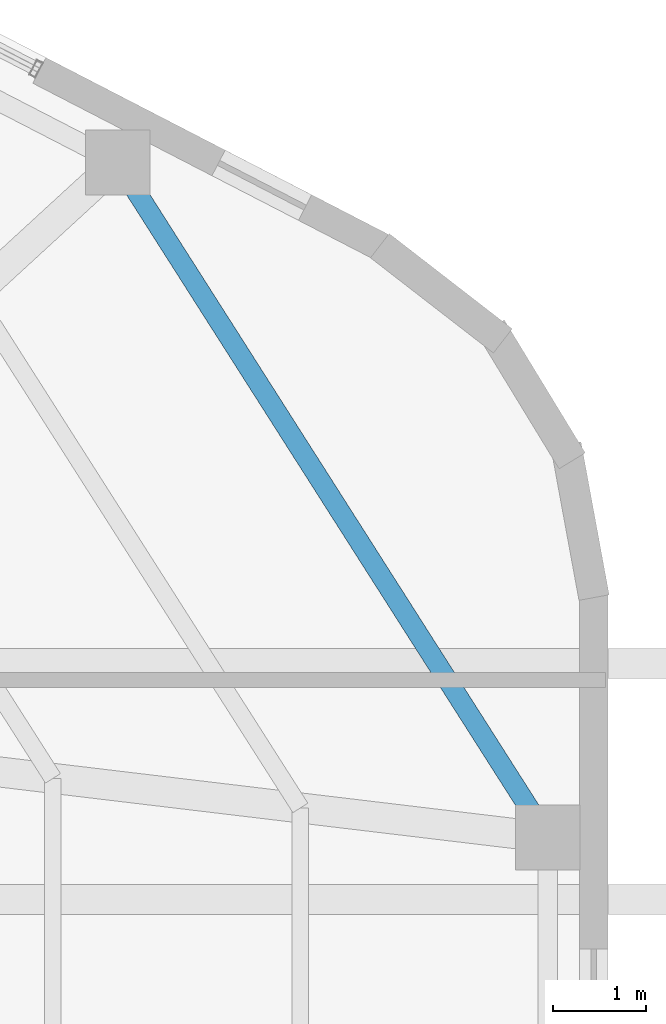
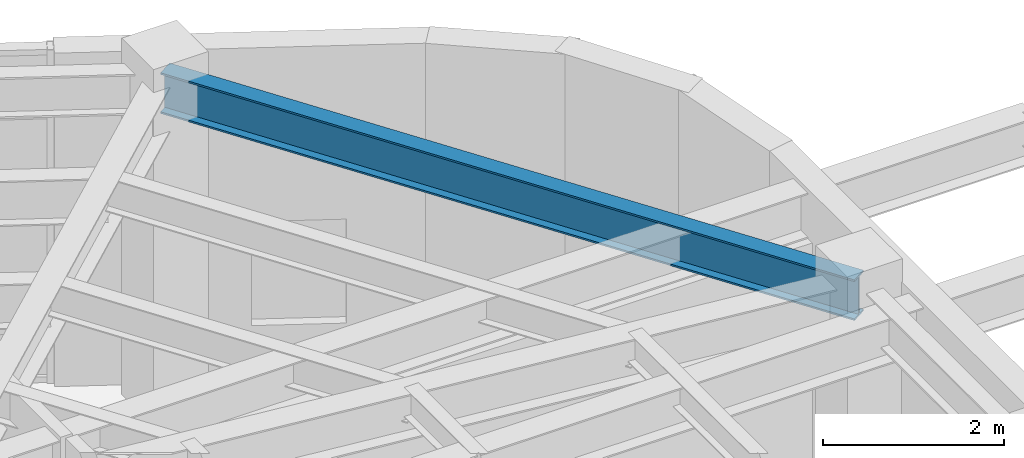
# One storey, part 11 of 18: 1 beam.
"""IFC4 building model written with IfcOpenShell, lengths in metres."""

from ifc_helpers import new_model, si_unit, direction, frame, origin, origin_2d, place, context, subcontext, project, spatial, i_section, extrude, material, material_profile, profile_set, type_object, element, save


model = new_model("IFC4")

# Units and contexts
model_context = context("Model", 3, precision=1e-05, world=origin(), true_north=direction((0.0, 1.0)))
body_context = subcontext(model_context, "Body", "Model", "MODEL_VIEW")
ifc_project = project(units=[si_unit("LENGTHUNIT", "METRE"), si_unit("AREAUNIT", "SQUARE_METRE"), si_unit("VOLUMEUNIT", "CUBIC_METRE"), si_unit("PLANEANGLEUNIT", "RADIAN"), si_unit("MASSUNIT", "GRAM", prefix="KILO"), si_unit("THERMODYNAMICTEMPERATUREUNIT", "KELVIN"), si_unit("POWERUNIT", "WATT")], contexts=[model_context])

# Site, building, storey
site_placement = place(None, origin())
site = spatial("IfcSite", under=ifc_project, at=site_placement, CompositionType="ELEMENT")
building_placement = place(site_placement, origin())
building = spatial("IfcBuilding", under=site, at=building_placement, Name="Skarre Station Tower", CompositionType="ELEMENT")
storey_placement = place(building_placement, frame((0.0, 0.0, 270.300048828125)))
storey = spatial("IfcBuildingStorey", under=building, at=storey_placement, Name="L74", CompositionType="ELEMENT", Elevation=270.300048828125)

# Beam
ifc_material = material(Name="Steel ASTM A992 Grade 50", Category="steel")
ifc_material_profile = material_profile(ifc_material, i_section(OverallWidth=0.214111328125, OverallDepth=0.549072265625, WebThickness=0.014892578125, FlangeThickness=0.02392578125, at=origin_2d()), Name="Steel ASTM A992 Grade 50")
ifc_profile_set = profile_set([ifc_material_profile], Name="Steel ASTM A992 Grade 50")
beam_type = type_object("IfcBeamType", Name="Steel Spandrel W21X93", PredefinedType="SPANDREL", material=ifc_profile_set)
beam_placement = place(storey_placement, frame((50.56298828125, 28.02099609375, 4.216064453125), z_axis=(-0.537296523663, 0.843393410965, 0.0), x_axis=(-0.843393410965, -0.537296523663, 0.0)))
element("IfcBeam", 1, at=beam_placement, inside=storey, type_object=beam_type, Name="L74 Facet Spandrel Beam 12", PredefinedType="SPANDREL", context=body_context, shape_type="SweptSolid", body=[
    extrude(i_section(OverallWidth=0.214111328125, OverallDepth=0.549072265625, WebThickness=0.014892578125, FlangeThickness=0.02392578125, at=origin_2d()), origin(), (0.0, 0.0, 1.0), 8.62841796875),
])

save(model, "model.ifc")
